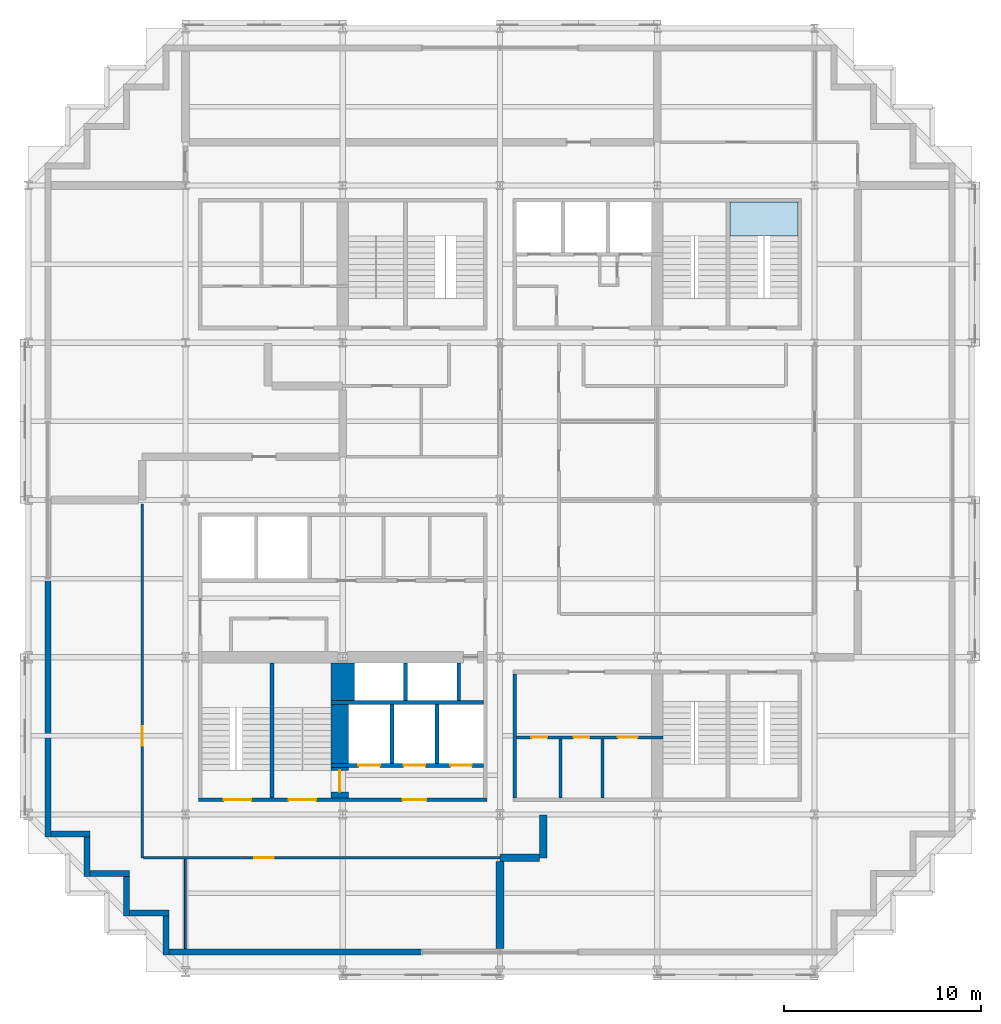
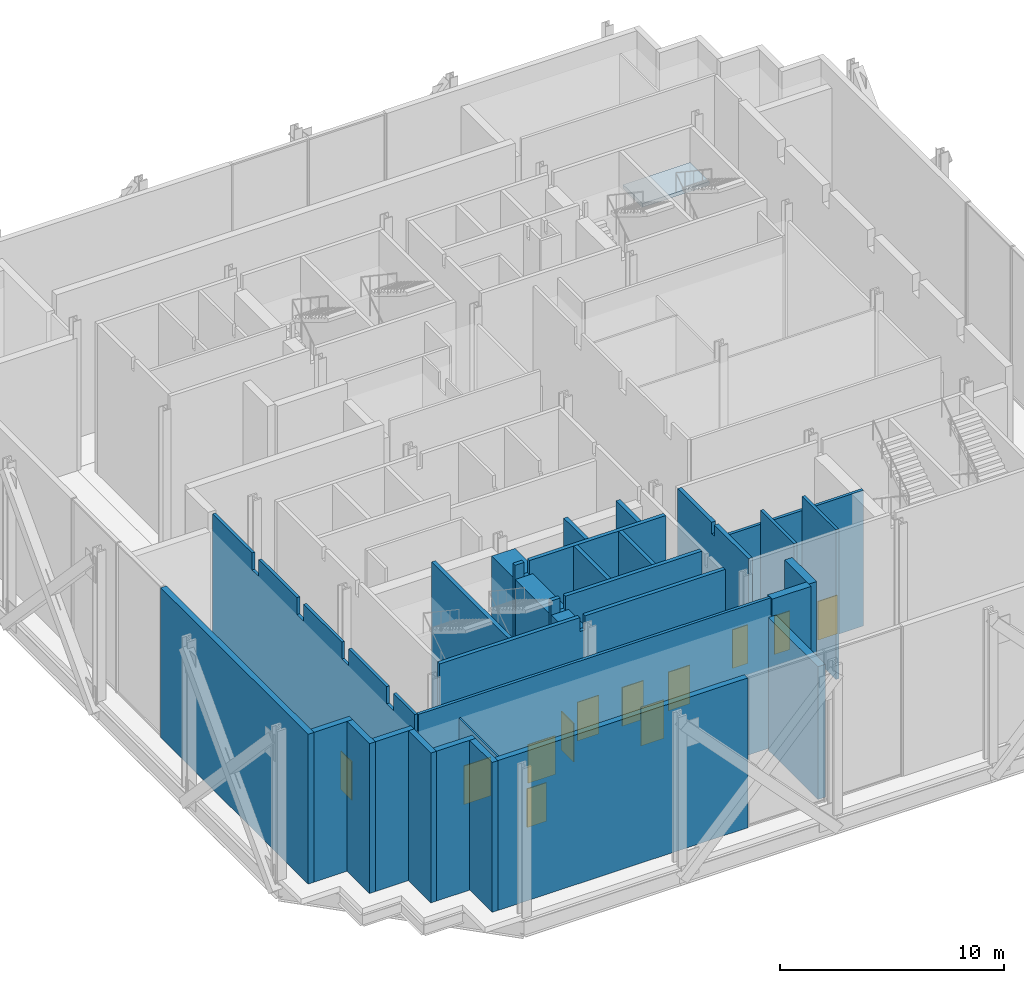
# One storey, part 7 of 13: 29 walls, 12 doors, 1 slab, 12 openings, 1 element without a shape of its own.
"""IFC4 building model written with IfcOpenShell, lengths in metres."""

from ifc_helpers import new_model, si_unit, direction, frame, frame_2d, origin, place, context, subcontext, project, spatial, polyline, rectangle, outline, extrude, material, layer, layer_set, type_object, element, fill, aggregate, save


model = new_model("IFC4")

# Units and contexts
model_context = context("Model", 3, precision=1e-05, world=origin(), true_north=direction((0.0, 1.0)))
body_context = subcontext(model_context, "Body", "Model", "MODEL_VIEW")
ifc_project = project(units=[si_unit("LENGTHUNIT", "METRE"), si_unit("AREAUNIT", "SQUARE_METRE"), si_unit("VOLUMEUNIT", "CUBIC_METRE"), si_unit("PLANEANGLEUNIT", "RADIAN"), si_unit("MASSUNIT", "GRAM", prefix="KILO")], contexts=[model_context])

# Site, building, storey
site_placement = place(None, origin())
site = spatial("IfcSite", under=ifc_project, at=site_placement, CompositionType="ELEMENT")
building_placement = place(site_placement, origin())
building = spatial("IfcBuilding", under=site, at=building_placement, Name="Immortelle Media Tower", CompositionType="ELEMENT")
storey_placement = place(building_placement, frame((0.0, 0.0, 21.0)))
storey = spatial("IfcBuildingStorey", under=building, at=storey_placement, Name="L02", CompositionType="ELEMENT", Elevation=21.0)

# Stair, slab
ifc_material_1 = material(Name="Steel ASTM A992 Gr 50", Category="steel")
stair_type = type_object("IfcStairType", Name="Stair with flights", PredefinedType="DOUBLE_RETURN_STAIR", material=ifc_material_1)
stair_placement = place(storey_placement, origin())
stair = element("IfcStair", 1, at=stair_placement, inside=storey, type_object=stair_type, Name="Exit stair NE2", PredefinedType="DOUBLE_RETURN_STAIR")
ifc_material_2 = material(Name="Steel ASTM A572 Gr 50", Category="steel")
ifc_layer_1 = layer(ifc_material_2, 0.199951171875)
ifc_layer_set_1 = layer_set([ifc_layer_1], Name="Steel ASTM A572 Gr 50")
slab_type = type_object("IfcSlabType", Name="Stair landing 200", PredefinedType="LANDING", material=ifc_layer_set_1)
slab_placement = place(storey_placement, frame((0.0, 0.0, 6.055419921875)))
slab = element("IfcSlab", 2, at=slab_placement, type_object=slab_type, Name="ST NE2 landing 3", PredefinedType="LANDING", context=body_context, shape_type="SweptSolid", body=[
    extrude(outline(polyline([(35.699951171875, 37.43994140625), (39.14990234375, 37.43994140625), (39.14990234375, 39.14990234375), (35.699951171875, 39.14990234375), (35.699951171875, 37.43994140625)])), origin(), (0.0, 0.0, 1.0), 0.199951171875),
])
aggregate(stair, [slab])

# Wall, openings, doors
ifc_material_3 = material(Name="Fire-rated gypsum board", Category="gypsum")
ifc_layer_2 = layer(ifc_material_3, 0.02490234375)
ifc_material_4 = material(Name="Steel ASTM A653 SS Gr 50 stud frame with mineral wool", Category="steel")
ifc_layer_3 = layer(ifc_material_4, 0.10009765625)
ifc_layer_4 = layer(ifc_material_3, 0.02490234375)
ifc_layer_set_2 = layer_set([ifc_layer_2, ifc_layer_3, ifc_layer_4], Name="Steel ASTM A653 SS Gr 50 stud frame with mineral wool")
wall_type_1 = type_object("IfcWallType", Name="Core partition 150", PredefinedType="PARTITIONING", material=ifc_layer_set_2)
wall_1_placement = place(storey_placement, frame((24.85009765625, 11.925048828125, 0.0), z_axis=(0.0, 0.0, 1.0), x_axis=(1.0, 0.0, 0.0)))
wall_1 = element("IfcWall", 3, at=wall_1_placement, inside=storey, type_object=wall_type_1, Name="Core partition SE", PredefinedType="PARTITIONING", context=body_context, shape_type="SweptSolid", body=[
    extrude(rectangle(XDim=7.449951171875, YDim=0.14990234375, at=frame_2d((3.72509765625, 0.0))), origin(), (0.0, 0.0, 1.0), 7.382080078125),
])
opening_1_placement = place(wall_1_placement, frame((1.550048828125, 0.0, 0.0), z_axis=(0.0, 0.0, 1.0), x_axis=(-1.0, 0.0, 0.0)))
opening_1 = element("IfcOpeningElement", 4, at=opening_1_placement, cuts=wall_1, Name="Opening P2-K015", PredefinedType="OPENING", context=body_context, shape_type="SweptSolid", body=[
    extrude(rectangle(XDim=0.800048828125, YDim=2.10009765625, at=frame_2d((0.39990234375, 1.050048828125))), frame((0.0, 0.0849609375, 0.0), z_axis=(0.0, -1.0, 0.0), x_axis=(1.0, 0.0, 0.0)), (0.0, 0.0, 1.0), 0.169921875),
])
opening_2_placement = place(wall_1_placement, frame((3.699951171875, 0.0, 0.0), z_axis=(0.0, 0.0, 1.0), x_axis=(-1.0, 0.0, 0.0)))
opening_2 = element("IfcOpeningElement", 5, at=opening_2_placement, cuts=wall_1, Name="Opening P2-K016", PredefinedType="OPENING", context=body_context, shape_type="SweptSolid", body=[
    extrude(rectangle(XDim=0.800048828125, YDim=2.10009765625, at=frame_2d((0.39990234375, 1.050048828125))), frame((0.0, 0.0849609375, 0.0), z_axis=(0.0, -1.0, 0.0), x_axis=(1.0, 0.0, 0.0)), (0.0, 0.0, 1.0), 0.169921875),
])
opening_3_placement = place(wall_1_placement, frame((6.14990234375, 0.0, 0.0), z_axis=(0.0, 0.0, 1.0), x_axis=(-1.0, 0.0, 0.0)))
opening_3 = element("IfcOpeningElement", 6, at=opening_3_placement, cuts=wall_1, Name="Opening P2-K018", PredefinedType="OPENING", context=body_context, shape_type="SweptSolid", body=[
    extrude(rectangle(XDim=1.0, YDim=2.10009765625, at=frame_2d((0.5, 1.050048828125))), frame((0.0, 0.0849609375, 0.0), z_axis=(0.0, -1.0, 0.0), x_axis=(1.0, 0.0, 0.0)), (0.0, 0.0, 1.0), 0.169921875),
])
ifc_material_5 = material(Name="Timber", Category="wood")
door_type_1 = type_object("IfcDoorType", Name="Accessible toilet door 1000 x 2100", OperationType="NOTDEFINED", PredefinedType="NOTDEFINED", material=ifc_material_5)
door_1_placement = place(opening_3_placement, origin())
door_1 = element("IfcDoor", 7, at=door_1_placement, inside=storey, type_object=door_type_1, Name="Accessible toilet P2-K018", OperationType="SINGLE_SWING_LEFT", OverallHeight=2.10009765625, OverallWidth=1.0, PredefinedType="NOTDEFINED", context=body_context, shape_type="SweptSolid", body=[
    extrude(rectangle(XDim=1.0, YDim=2.10009765625, at=frame_2d((0.5, 1.050048828125))), frame((0.0, 0.02490234375, 0.0), z_axis=(0.0, -1.0, 0.0), x_axis=(1.0, 0.0, 0.0)), (0.0, 0.0, 1.0), 0.050048828125),
])
fill(opening_3, door_1)
door_type_2 = type_object("IfcDoorType", Name="Toilet door 800 x 2100", OperationType="NOTDEFINED", PredefinedType="NOTDEFINED", material=ifc_material_5)
door_2_placement = place(opening_1_placement, origin())
door_2 = element("IfcDoor", 8, at=door_2_placement, inside=storey, type_object=door_type_2, Name="Toilet P2-K015", OperationType="SINGLE_SWING_RIGHT", OverallHeight=2.10009765625, OverallWidth=0.800048828125, PredefinedType="NOTDEFINED", context=body_context, shape_type="SweptSolid", body=[
    extrude(rectangle(XDim=0.800048828125, YDim=2.10009765625, at=frame_2d((0.39990234375, 1.050048828125))), frame((0.0, 0.02490234375, 0.0), z_axis=(0.0, -1.0, 0.0), x_axis=(1.0, 0.0, 0.0)), (0.0, 0.0, 1.0), 0.050048828125),
])
fill(opening_1, door_2)
door_3_placement = place(opening_2_placement, origin())
door_3 = element("IfcDoor", 9, at=door_3_placement, inside=storey, type_object=door_type_2, Name="Toilet P2-K016", OperationType="SINGLE_SWING_LEFT", OverallHeight=2.10009765625, OverallWidth=0.800048828125, PredefinedType="NOTDEFINED", context=body_context, shape_type="SweptSolid", body=[
    extrude(rectangle(XDim=0.800048828125, YDim=2.10009765625, at=frame_2d((0.39990234375, 1.050048828125))), frame((0.0, 0.02490234375, 0.0), z_axis=(0.0, -1.0, 0.0), x_axis=(1.0, 0.0, 0.0)), (0.0, 0.0, 1.0), 0.050048828125),
])
fill(opening_2, door_3)

# Walls
for number, where, z_axis, x_axis, name in (
    (10, (27.074951171875, 8.85009765625, 0.0), (0.0, 0.0, 1.0), (0.0, 1.0, 0.0), "Core partition SE"),
    (11, (29.22509765625, 8.85009765625, 0.0), (0.0, 0.0, 1.0), (0.0, 1.0, 0.0), "Core partition SE"),
):
    element("IfcWall", number, at=place(storey_placement, frame(where, z_axis=z_axis, x_axis=x_axis)), inside=storey, type_object=wall_type_1, Name=name, PredefinedType="PARTITIONING", context=body_context, shape_type="SweptSolid", body=[
        extrude(rectangle(XDim=3.0, YDim=0.14990234375, at=frame_2d((1.5, 0.0))), origin(), (0.0, 0.0, 1.0), 8.14990234375),
    ])

# Wall, openings, doors
ifc_layer_5 = layer(ifc_material_3, 0.03759765625)
ifc_layer_6 = layer(ifc_material_4, 0.125)
ifc_layer_7 = layer(ifc_material_3, 0.03759765625)
ifc_layer_set_3 = layer_set([ifc_layer_5, ifc_layer_6, ifc_layer_7], Name="Steel ASTM A653 SS Gr 50 stud frame with mineral wool")
wall_type_2 = type_object("IfcWallType", Name="Core shaft wall 200", PredefinedType="PARTITIONING", material=ifc_layer_set_3)
wall_2_placement = place(storey_placement, frame((15.39990234375, 10.5, 0.0), z_axis=(0.0, 0.0, 1.0), x_axis=(1.0, 0.0, 0.0)))
wall_2 = element("IfcWall", 12, at=wall_2_placement, inside=storey, type_object=wall_type_2, Name="Core shaft wall SW", PredefinedType="PARTITIONING", context=body_context, shape_type="SweptSolid", body=[
    extrude(outline(polyline([(0.0, 0.0), (7.75, 0.0), (7.75, 8.14990234375), (0.738525390625, 8.14990234375), (0.737548828125, 7.382080078125), (0.46240234375, 7.382080078125), (0.46142578125, 8.14990234375), (0.0, 8.14990234375), (0.0, 0.0)])), frame((0.0, 0.10009765625, 0.0), z_axis=(0.0, -1.0, 0.0), x_axis=(1.0, 0.0, 0.0)), (0.0, 0.0, 1.0), 0.199951171875),
])
opening_4_placement = place(wall_2_placement, frame((1.39990234375, 0.0, 0.0)))
opening_4 = element("IfcOpeningElement", 13, at=opening_4_placement, cuts=wall_2, Name="Opening LD", PredefinedType="OPENING", context=body_context, shape_type="SweptSolid", body=[
    extrude(rectangle(XDim=1.10009765625, YDim=2.10009765625, at=frame_2d((0.550048828125, 1.050048828125))), frame((0.0, 0.10986328125, 0.0), z_axis=(0.0, -1.0, 0.0), x_axis=(1.0, 0.0, 0.0)), (0.0, 0.0, 1.0), 0.219970703125),
])
opening_5_placement = place(wall_2_placement, frame((3.699951171875, 0.0, 0.0)))
opening_5 = element("IfcOpeningElement", 14, at=opening_5_placement, cuts=wall_2, Name="Opening LD", PredefinedType="OPENING", context=body_context, shape_type="SweptSolid", body=[
    extrude(rectangle(XDim=1.10009765625, YDim=2.10009765625, at=frame_2d((0.550048828125, 1.050048828125))), frame((0.0, 0.10986328125, 0.0), z_axis=(0.0, -1.0, 0.0), x_axis=(1.0, 0.0, 0.0)), (0.0, 0.0, 1.0), 0.219970703125),
])
opening_6_placement = place(wall_2_placement, frame((6.074951171875, 0.0, 0.0)))
opening_6 = element("IfcOpeningElement", 15, at=opening_6_placement, cuts=wall_2, Name="Opening LD", PredefinedType="OPENING", context=body_context, shape_type="SweptSolid", body=[
    extrude(rectangle(XDim=1.10009765625, YDim=2.10009765625, at=frame_2d((0.550048828125, 1.050048828125))), frame((0.0, 0.10986328125, 0.0), z_axis=(0.0, -1.0, 0.0), x_axis=(1.0, 0.0, 0.0)), (0.0, 0.0, 1.0), 0.219970703125),
])
ifc_material_6 = material(Name="Stainless steel AISI 304", Category="steel")
door_type_3 = type_object("IfcDoorType", Name="Landing door 1100 x 2100", OperationType="SLIDING_TO_LEFT", PredefinedType="NOTDEFINED", material=ifc_material_6)
door_4_placement = place(opening_4_placement, origin())
door_4 = element("IfcDoor", 16, at=door_4_placement, inside=storey, type_object=door_type_3, Name="Landing door FF1 L02", OperationType="SLIDING_TO_LEFT", OverallHeight=2.10009765625, OverallWidth=1.10009765625, PredefinedType="NOTDEFINED", context=body_context, shape_type="SweptSolid", body=[
    extrude(rectangle(XDim=1.10009765625, YDim=2.10009765625, at=frame_2d((0.550048828125, 1.050048828125))), frame((0.0, 0.02490234375, 0.0), z_axis=(0.0, -1.0, 0.0), x_axis=(1.0, 0.0, 0.0)), (0.0, 0.0, 1.0), 0.050048828125),
])
fill(opening_4, door_4)
door_5_placement = place(opening_5_placement, origin())
door_5 = element("IfcDoor", 17, at=door_5_placement, inside=storey, type_object=door_type_3, Name="Landing door FF2 L02", OperationType="SLIDING_TO_LEFT", OverallHeight=2.10009765625, OverallWidth=1.10009765625, PredefinedType="NOTDEFINED", context=body_context, shape_type="SweptSolid", body=[
    extrude(rectangle(XDim=1.10009765625, YDim=2.10009765625, at=frame_2d((0.550048828125, 1.050048828125))), frame((0.0, 0.02490234375, 0.0), z_axis=(0.0, -1.0, 0.0), x_axis=(1.0, 0.0, 0.0)), (0.0, 0.0, 1.0), 0.050048828125),
])
fill(opening_5, door_5)
door_6_placement = place(opening_6_placement, origin())
door_6 = element("IfcDoor", 18, at=door_6_placement, inside=storey, type_object=door_type_3, Name="Landing door FF3 L02", OperationType="SLIDING_TO_LEFT", OverallHeight=2.10009765625, OverallWidth=1.10009765625, PredefinedType="NOTDEFINED", context=body_context, shape_type="SweptSolid", body=[
    extrude(rectangle(XDim=1.10009765625, YDim=2.10009765625, at=frame_2d((0.550048828125, 1.050048828125))), frame((0.0, 0.02490234375, 0.0), z_axis=(0.0, -1.0, 0.0), x_axis=(1.0, 0.0, 0.0)), (0.0, 0.0, 1.0), 0.050048828125),
])
fill(opening_6, door_6)

# Walls
wall_3_placement = place(storey_placement, frame((15.39990234375, 13.699951171875, 0.0), z_axis=(0.0, 0.0, 1.0), x_axis=(1.0, 0.0, 0.0)))
element("IfcWall", 19, at=wall_3_placement, inside=storey, type_object=wall_type_2, Name="Core shaft wall SW", PredefinedType="PARTITIONING", context=body_context, shape_type="SweptSolid", body=[
    extrude(outline(polyline([(0.0, 0.0), (7.75, 0.0), (7.75, 8.14990234375), (0.738525390625, 8.14990234375), (0.737548828125, 7.382080078125), (0.46240234375, 7.382080078125), (0.46142578125, 8.14990234375), (0.0, 8.14990234375), (0.0, 0.0)])), frame((0.0, 0.10009765625, 0.0), z_axis=(0.0, -1.0, 0.0), x_axis=(1.0, 0.0, 0.0)), (0.0, 0.0, 1.0), 0.199951171875),
])
wall_4_placement = place(storey_placement, frame((18.5, 10.60009765625, 0.0), z_axis=(0.0, 0.0, 1.0), x_axis=(0.0, 1.0, 0.0)))
element("IfcWall", 20, at=wall_4_placement, inside=storey, type_object=wall_type_2, Name="Core shaft wall SW", PredefinedType="PARTITIONING", context=body_context, shape_type="SweptSolid", body=[
    extrude(rectangle(XDim=3.0, YDim=0.199951171875, at=frame_2d((1.5, 0.0))), origin(), (0.0, 0.0, 1.0), 8.14990234375),
])
wall_5_placement = place(storey_placement, frame((19.199951171875, 13.800048828125, 0.0), z_axis=(0.0, 0.0, 1.0), x_axis=(0.0, 1.0, 0.0)))
element("IfcWall", 21, at=wall_5_placement, inside=storey, type_object=wall_type_2, Name="Core shaft wall SW", PredefinedType="PARTITIONING", context=body_context, shape_type="SweptSolid", body=[
    extrude(rectangle(XDim=1.89990234375, YDim=0.199951171875, at=frame_2d((0.949951171875, 0.0))), origin(), (0.0, 0.0, 1.0), 8.14990234375),
])
wall_6_placement = place(storey_placement, frame((20.800048828125, 10.60009765625, 0.0), z_axis=(0.0, 0.0, 1.0), x_axis=(0.0, 1.0, 0.0)))
element("IfcWall", 22, at=wall_6_placement, inside=storey, type_object=wall_type_2, Name="Core shaft wall SW", PredefinedType="PARTITIONING", context=body_context, shape_type="SweptSolid", body=[
    extrude(rectangle(XDim=3.0, YDim=0.199951171875, at=frame_2d((1.5, 0.0))), origin(), (0.0, 0.0, 1.0), 8.14990234375),
])
wall_7_placement = place(storey_placement, frame((21.89990234375, 13.800048828125, 0.0), z_axis=(0.0, 0.0, 1.0), x_axis=(0.0, 1.0, 0.0)))
element("IfcWall", 23, at=wall_7_placement, inside=storey, type_object=wall_type_2, Name="Core shaft wall SW", PredefinedType="PARTITIONING", context=body_context, shape_type="SweptSolid", body=[
    extrude(rectangle(XDim=1.89990234375, YDim=0.199951171875, at=frame_2d((0.949951171875, 0.0))), origin(), (0.0, 0.0, 1.0), 8.14990234375),
])
wall_8_placement = place(storey_placement, frame((24.75, 8.85009765625, 0.0), z_axis=(0.0, 0.0, 1.0), x_axis=(0.0, 1.0, 0.0)))
element("IfcWall", 24, at=wall_8_placement, inside=storey, type_object=wall_type_2, Name="Core shaft wall SE", PredefinedType="PARTITIONING", context=body_context, shape_type="SweptSolid", body=[
    extrude(outline(polyline([(0.0, 0.0), (6.2998046875, 0.0), (6.300048828125, 8.14990234375), (3.26953125, 8.14990234375), (3.2685546875, 7.531982421875), (3.031494140625, 7.531982421875), (3.030517578125, 8.14990234375), (0.0, 8.14990234375), (0.0, 0.0)])), frame((0.0, 0.10009765625, 0.0), z_axis=(0.0, -1.0, 0.0), x_axis=(1.0, 0.0, 0.0)), (0.0, 0.0, 1.0), 0.199951171875),
])

# Wall, opening, door
ifc_layer_8 = layer(ifc_material_3, 0.012451171875)
ifc_layer_9 = layer(ifc_material_4, 0.125)
ifc_layer_10 = layer(ifc_material_3, 0.012451171875)
ifc_layer_set_4 = layer_set([ifc_layer_8, ifc_layer_9, ifc_layer_10], Name="Steel ASTM A653 SS Gr 50 stud frame with mineral wool")
wall_type_3 = type_object("IfcWallType", Name="Corridor wall 150", PredefinedType="PARTITIONING", material=ifc_layer_set_4)
wall_9_placement = place(storey_placement, frame((5.875, 5.800048828125, 0.0), z_axis=(0.0, 0.0, 1.0), x_axis=(1.0, 0.0, 0.0)))
wall_9 = element("IfcWall", 25, at=wall_9_placement, inside=storey, type_object=wall_type_3, Name="Partition L02-003", PredefinedType="PARTITIONING", context=body_context, shape_type="SweptSolid", body=[
    extrude(rectangle(XDim=18.125, YDim=0.14990234375, at=frame_2d((9.0625, 0.0))), origin(), (0.0, 0.0, 1.0), 8.14990234375),
])
opening_7_placement = place(wall_9_placement, frame((6.625, 0.0, 0.0), z_axis=(0.0, 0.0, 1.0), x_axis=(-1.0, 0.0, 0.0)))
opening_7 = element("IfcOpeningElement", 26, at=opening_7_placement, cuts=wall_9, Name="Opening P2-F001", PredefinedType="OPENING", context=body_context, shape_type="SweptSolid", body=[
    extrude(rectangle(XDim=1.0, YDim=2.10009765625, at=frame_2d((0.5, 1.050048828125))), frame((0.0, 0.0849609375, 0.0), z_axis=(0.0, -1.0, 0.0), x_axis=(1.0, 0.0, 0.0)), (0.0, 0.0, 1.0), 0.169921875),
])
ifc_material_7 = material(Name="Timber veneered door leaf, galvanised steel frame ASTM A653", Category="steel")
door_type_4 = type_object("IfcDoorType", Name="Room door 1000 x 2100", OperationType="NOTDEFINED", PredefinedType="DOOR", material=ifc_material_7)
door_7_placement = place(opening_7_placement, origin())
door_7 = element("IfcDoor", 27, at=door_7_placement, inside=storey, type_object=door_type_4, Name="Door P2-F001", OperationType="SINGLE_SWING_RIGHT", OverallHeight=2.10009765625, OverallWidth=1.0, PredefinedType="DOOR", context=body_context, shape_type="SweptSolid", body=[
    extrude(rectangle(XDim=1.0, YDim=2.10009765625, at=frame_2d((0.5, 1.050048828125))), frame((0.0, 0.02490234375, 0.0), z_axis=(0.0, -1.0, 0.0), x_axis=(1.0, 0.0, 0.0)), (0.0, 0.0, 1.0), 0.050048828125),
])
fill(opening_7, door_7)

wall_10_placement = place(storey_placement, frame((5.800048828125, 5.800048828125, 0.0), z_axis=(0.0, 0.0, 1.0), x_axis=(0.0, 1.0, 0.0)))
wall_10 = element("IfcWall", 28, at=wall_10_placement, inside=storey, type_object=wall_type_3, Name="Partition L02-004", PredefinedType="PARTITIONING", context=body_context, shape_type="SweptSolid", body=[
    extrude(outline(polyline([(0.0, 0.0), (18.0, 0.0), (18.0, 8.14990234375), (14.5, 8.14990234375), (14.498046875, 7.222900390625), (13.902099609375, 7.222900390625), (13.89990234375, 8.14990234375), (10.5, 8.14990234375), (10.498046875, 7.222900390625), (9.902099609375, 7.222900390625), (9.89990234375, 8.14990234375), (6.5, 8.14990234375), (6.498046875, 7.222900390625), (5.902099609375, 7.222900390625), (5.89990234375, 8.14990234375), (2.5, 8.14990234375), (2.498046875, 7.222900390625), (1.902099609375, 7.222900390625), (1.89990234375, 8.14990234375), (0.0, 8.14990234375), (0.0, 0.0)])), frame((0.0, 0.074951171875, 0.0), z_axis=(0.0, -1.0, 0.0), x_axis=(1.0, 0.0, 0.0)), (0.0, 0.0, 1.0), 0.14990234375),
])
opening_8_placement = place(wall_10_placement, frame((5.699951171875, 0.0, 0.0)))
opening_8 = element("IfcOpeningElement", 29, at=opening_8_placement, cuts=wall_10, Name="Opening P2-F002", PredefinedType="OPENING", context=body_context, shape_type="SweptSolid", body=[
    extrude(rectangle(XDim=1.0, YDim=2.10009765625, at=frame_2d((0.5, 1.050048828125))), frame((0.0, 0.0849609375, 0.0), z_axis=(0.0, -1.0, 0.0), x_axis=(1.0, 0.0, 0.0)), (0.0, 0.0, 1.0), 0.169921875),
])
door_8_placement = place(opening_8_placement, origin())
door_8 = element("IfcDoor", 30, at=door_8_placement, inside=storey, type_object=door_type_4, Name="Door P2-F002", OperationType="SINGLE_SWING_LEFT", OverallHeight=2.10009765625, OverallWidth=1.0, PredefinedType="DOOR", context=body_context, shape_type="SweptSolid", body=[
    extrude(rectangle(XDim=1.0, YDim=2.10009765625, at=frame_2d((0.5, 1.050048828125))), frame((0.0, 0.02490234375, 0.0), z_axis=(0.0, -1.0, 0.0), x_axis=(1.0, 0.0, 0.0)), (0.0, 0.0, 1.0), 0.050048828125),
])
fill(opening_8, door_8)

# Walls
ifc_material_8 = material(Name="Pale aluminium cladding panel", Category="aluminium")
ifc_layer_11 = layer(ifc_material_8, 0.030029296875)
ifc_layer_12 = layer(ifc_material_4, 0.257568359375)
ifc_material_9 = material(Name="Moisture-resistant gypsum board", Category="gypsum")
ifc_layer_13 = layer(ifc_material_9, 0.012451171875)
ifc_layer_set_5 = layer_set([ifc_layer_11, ifc_layer_12, ifc_layer_13], Name="Steel ASTM A653 SS Gr 50 stud frame with mineral wool")
wall_type_4 = type_object("IfcWallType", Name="Pale metal clad wall 300", PredefinedType="STANDARD", material=ifc_layer_set_5)
for number, where, z_axis, x_axis, name in (
    (31, (1.14990234375, 7.0, 0.0), (0.0, 0.0, 1.0), (1.0, 0.0, 0.0), "Studio wall L02 S 1"),
    (32, (3.0, 6.85009765625, 0.0), (0.0, 0.0, 1.0), (0.0, -1.0, 0.0), "Studio wall L02 W 2"),
    (33, (3.14990234375, 5.0, 0.0), (0.0, 0.0, 1.0), (1.0, 0.0, 0.0), "Studio wall L02 S 3"),
    (34, (5.0, 4.85009765625, 0.0), (0.0, 0.0, 1.0), (0.0, -1.0, 0.0), "Studio wall L02 W 4"),
    (35, (5.14990234375, 3.0, 0.0), (0.0, 0.0, 1.0), (1.0, 0.0, 0.0), "Studio wall L02 S 5"),
    (36, (7.0, 2.85009765625, 0.0), (0.0, 0.0, 1.0), (0.0, -1.0, 0.0), "Studio wall L02 W 6"),
):
    element("IfcWall", number, at=place(storey_placement, frame(where, z_axis=z_axis, x_axis=x_axis)), inside=storey, type_object=wall_type_4, Name=name, PredefinedType="STANDARD", context=body_context, shape_type="SweptSolid", body=[
        extrude(rectangle(XDim=2.0, YDim=0.300048828125, at=frame_2d((1.0, 0.0))), origin(), (0.0, 0.0, 1.0), 8.14990234375),
    ])
wall_11_placement = place(storey_placement, frame((7.14990234375, 1.0, 0.0), z_axis=(0.0, 0.0, 1.0), x_axis=(1.0, 0.0, 0.0)))
element("IfcWall", 37, at=wall_11_placement, inside=storey, type_object=wall_type_4, Name="Studio wall L02 S 7-1", PredefinedType="STANDARD", context=body_context, shape_type="SweptSolid", body=[
    extrude(rectangle(XDim=12.85009765625, YDim=0.300048828125, at=frame_2d((6.425048828125, 0.0))), origin(), (0.0, 0.0, 1.0), 8.14990234375),
])
wall_12_placement = place(storey_placement, frame((1.0, 20.0, 0.0), z_axis=(0.0, 0.0, 1.0), x_axis=(0.0, -1.0, 0.0)))
element("IfcWall", 38, at=wall_12_placement, inside=storey, type_object=wall_type_4, Name="Studio wall L02 W 28-3", PredefinedType="STANDARD", context=body_context, shape_type="SweptSolid", body=[
    extrude(rectangle(XDim=13.14990234375, YDim=0.300048828125, at=frame_2d((6.574951171875, 0.0))), origin(), (0.0, 0.0, 1.0), 8.14990234375),
])
ifc_material_10 = material(Name="Gypsum board", Category="gypsum")
ifc_layer_14 = layer(ifc_material_10, 0.012451171875)
ifc_layer_15 = layer(ifc_material_4, 0.074951171875)
ifc_layer_16 = layer(ifc_material_10, 0.012451171875)
ifc_layer_set_6 = layer_set([ifc_layer_14, ifc_layer_15, ifc_layer_16], Name="Steel ASTM A653 SS Gr 50 stud frame with mineral wool")
wall_type_5 = type_object("IfcWallType", Name="Partition 100", PredefinedType="PARTITIONING", material=ifc_layer_set_6)
wall_13_placement = place(storey_placement, frame((8.0, 1.179931640625, 0.0), z_axis=(0.0, 0.0, 1.0), x_axis=(0.0, 1.0, 0.0)))
element("IfcWall", 39, at=wall_13_placement, inside=storey, type_object=wall_type_5, Name="Partition L02-001", PredefinedType="PARTITIONING", context=body_context, shape_type="SweptSolid", body=[
    extrude(rectangle(XDim=4.545166015625, YDim=0.10009765625, at=frame_2d((2.2724609375, 0.0))), origin(), (0.0, 0.0, 1.0), 7.222900390625),
])
ifc_material_11 = material(Name="Concrete C60", Category="concrete")
ifc_layer_17 = layer(ifc_material_11, 1.199951171875)
ifc_layer_set_7 = layer_set([ifc_layer_17], Name="Concrete C60")
wall_type_6 = type_object("IfcWallType", Name="Stair shaft wall 1200", PredefinedType="PARTITIONING", material=ifc_layer_set_7)
wall_14_placement = place(storey_placement, frame((16.0, 13.800048828125, 0.0), z_axis=(0.0, 0.0, 1.0), x_axis=(0.0, 1.0, 0.0)))
element("IfcWall", 40, at=wall_14_placement, inside=storey, type_object=wall_type_6, Name="Stair shaft wall SW", PredefinedType="PARTITIONING", context=body_context, shape_type="SweptSolid", body=[
    extrude(rectangle(XDim=1.89990234375, YDim=1.199951171875, at=frame_2d((0.949951171875, 0.0))), origin(), (0.0, 0.0, 1.0), 7.382080078125),
])

# Wall, openings, doors
ifc_layer_18 = layer(ifc_material_11, 0.199951171875)
ifc_layer_set_8 = layer_set([ifc_layer_18], Name="Concrete C60")
wall_type_7 = type_object("IfcWallType", Name="Stair shaft wall 200", PredefinedType="PARTITIONING", material=ifc_layer_set_8)
wall_15_placement = place(storey_placement, frame((8.64990234375, 8.75, 0.0), z_axis=(0.0, 0.0, 1.0), x_axis=(1.0, 0.0, 0.0)))
wall_15 = element("IfcWall", 41, at=wall_15_placement, inside=storey, type_object=wall_type_7, Name="Stair shaft wall SW", PredefinedType="PARTITIONING", context=body_context, shape_type="SweptSolid", body=[
    extrude(outline(polyline([(0.0, 0.0), (14.7001953125, 0.0), (14.699951171875, 8.14990234375), (7.488525390625, 8.14990234375), (7.487548828125, 7.382080078125), (7.21240234375, 7.382080078125), (7.21142578125, 8.14990234375), (0.0, 8.14990234375), (0.0, 0.0)])), frame((0.0, 0.10009765625, 0.0), z_axis=(0.0, -1.0, 0.0), x_axis=(1.0, 0.0, 0.0)), (0.0, 0.0, 1.0), 0.199951171875),
])
opening_9_placement = place(wall_15_placement, frame((1.300048828125, 0.0, 0.0)))
opening_9 = element("IfcOpeningElement", 42, at=opening_9_placement, cuts=wall_15, Name="Opening P2-K002", PredefinedType="OPENING", context=body_context, shape_type="SweptSolid", body=[
    extrude(rectangle(XDim=1.39990234375, YDim=2.10009765625, at=frame_2d((0.699951171875, 1.050048828125))), frame((0.0, 0.10986328125, 0.0), z_axis=(0.0, -1.0, 0.0), x_axis=(1.0, 0.0, 0.0)), (0.0, 0.0, 1.0), 0.219970703125),
])
opening_10_placement = place(wall_15_placement, frame((4.60009765625, 0.0, 0.0)))
opening_10 = element("IfcOpeningElement", 43, at=opening_10_placement, cuts=wall_15, Name="Opening P2-K004", PredefinedType="OPENING", context=body_context, shape_type="SweptSolid", body=[
    extrude(rectangle(XDim=1.39990234375, YDim=2.10009765625, at=frame_2d((0.699951171875, 1.050048828125))), frame((0.0, 0.10986328125, 0.0), z_axis=(0.0, -1.0, 0.0), x_axis=(1.0, 0.0, 0.0)), (0.0, 0.0, 1.0), 0.219970703125),
])
opening_11_placement = place(wall_15_placement, frame((10.39990234375, 0.0, 0.0)))
opening_11 = element("IfcOpeningElement", 44, at=opening_11_placement, cuts=wall_15, Name="Opening P2-K009", PredefinedType="OPENING", context=body_context, shape_type="SweptSolid", body=[
    extrude(rectangle(XDim=1.199951171875, YDim=2.10009765625, at=frame_2d((0.60009765625, 1.050048828125))), frame((0.0, 0.10986328125, 0.0), z_axis=(0.0, -1.0, 0.0), x_axis=(1.0, 0.0, 0.0)), (0.0, 0.0, 1.0), 0.219970703125),
])
ifc_material_12 = material(Name="Galvanised steel door leaf and frame ASTM A653", Category="steel")
door_type_5 = type_object("IfcDoorType", Name="Fire-fighting lobby door 1200 x 2100", OperationType="NOTDEFINED", PredefinedType="NOTDEFINED", material=ifc_material_12)
door_9_placement = place(opening_11_placement, origin())
door_9 = element("IfcDoor", 45, at=door_9_placement, inside=storey, type_object=door_type_5, Name="Fire-fighting lobby P2-K009", OperationType="SINGLE_SWING_LEFT", OverallHeight=2.10009765625, OverallWidth=1.199951171875, PredefinedType="NOTDEFINED", context=body_context, shape_type="SweptSolid", body=[
    extrude(rectangle(XDim=1.199951171875, YDim=2.10009765625, at=frame_2d((0.60009765625, 1.050048828125))), frame((0.0, 0.02490234375, 0.0), z_axis=(0.0, -1.0, 0.0), x_axis=(1.0, 0.0, 0.0)), (0.0, 0.0, 1.0), 0.050048828125),
])
fill(opening_11, door_9)
door_type_6 = type_object("IfcDoorType", Name="Stair door 1400 x 2100", OperationType="DOUBLE_DOOR_SINGLE_SWING", PredefinedType="NOTDEFINED", material=ifc_material_12)
door_10_placement = place(opening_9_placement, origin())
door_10 = element("IfcDoor", 46, at=door_10_placement, inside=storey, type_object=door_type_6, Name="Stair P2-K002", OperationType="DOUBLE_DOOR_SINGLE_SWING", OverallHeight=2.10009765625, OverallWidth=1.39990234375, PredefinedType="NOTDEFINED", context=body_context, shape_type="SweptSolid", body=[
    extrude(rectangle(XDim=1.39990234375, YDim=2.10009765625, at=frame_2d((0.699951171875, 1.050048828125))), frame((0.0, 0.02490234375, 0.0), z_axis=(0.0, -1.0, 0.0), x_axis=(1.0, 0.0, 0.0)), (0.0, 0.0, 1.0), 0.050048828125),
])
fill(opening_9, door_10)
door_11_placement = place(opening_10_placement, origin())
door_11 = element("IfcDoor", 47, at=door_11_placement, inside=storey, type_object=door_type_6, Name="Stair P2-K004", OperationType="DOUBLE_DOOR_SINGLE_SWING", OverallHeight=2.10009765625, OverallWidth=1.39990234375, PredefinedType="NOTDEFINED", context=body_context, shape_type="SweptSolid", body=[
    extrude(rectangle(XDim=1.39990234375, YDim=2.10009765625, at=frame_2d((0.699951171875, 1.050048828125))), frame((0.0, 0.02490234375, 0.0), z_axis=(0.0, -1.0, 0.0), x_axis=(1.0, 0.0, 0.0)), (0.0, 0.0, 1.0), 0.050048828125),
])
fill(opening_10, door_11)

# Wall
wall_16_placement = place(storey_placement, frame((12.39990234375, 8.85009765625, 0.0), z_axis=(0.0, 0.0, 1.0), x_axis=(0.0, 1.0, 0.0)))
element("IfcWall", 48, at=wall_16_placement, inside=storey, type_object=wall_type_7, Name="Stair shaft wall SW", PredefinedType="PARTITIONING", context=body_context, shape_type="SweptSolid", body=[
    extrude(rectangle(XDim=6.849853515625, YDim=0.199951171875, at=frame_2d((3.4248046875, 0.0))), origin(), (0.0, 0.0, 1.0), 8.14990234375),
])

# Wall, opening, door
ifc_layer_19 = layer(ifc_material_11, 0.89990234375)
ifc_layer_set_9 = layer_set([ifc_layer_19], Name="Concrete C60")
wall_type_8 = type_object("IfcWallType", Name="Stair shaft wall 900", PredefinedType="PARTITIONING", material=ifc_layer_set_9)
wall_17_placement = place(storey_placement, frame((15.85009765625, 8.85009765625, 0.0), z_axis=(0.0, 0.0, 1.0), x_axis=(0.0, 1.0, 0.0)))
wall_17 = element("IfcWall", 49, at=wall_17_placement, inside=storey, type_object=wall_type_8, Name="Stair shaft wall SW", PredefinedType="PARTITIONING", context=body_context, shape_type="SweptSolid", body=[
    extrude(rectangle(XDim=1.5498046875, YDim=0.89990234375, at=frame_2d((0.77490234375, 0.0))), origin(), (0.0, 0.0, 1.0), 7.382080078125),
])
opening_12_placement = place(wall_17_placement, frame((0.300048828125, 0.0, 0.0)))
opening_12 = element("IfcOpeningElement", 50, at=opening_12_placement, cuts=wall_17, Name="Opening P2-K005", PredefinedType="OPENING", context=body_context, shape_type="SweptSolid", body=[
    extrude(rectangle(XDim=1.10009765625, YDim=2.10009765625, at=frame_2d((0.550048828125, 1.050048828125))), frame((0.0, 0.4599609375, 0.0), z_axis=(0.0, -1.0, 0.0), x_axis=(1.0, 0.0, 0.0)), (0.0, 0.0, 1.0), 0.919921875),
])
door_type_7 = type_object("IfcDoorType", Name="Stair lobby door 1100 x 2100", OperationType="NOTDEFINED", PredefinedType="NOTDEFINED", material=ifc_material_12)
door_12_placement = place(opening_12_placement, origin())
door_12 = element("IfcDoor", 51, at=door_12_placement, inside=storey, type_object=door_type_7, Name="Stair lobby P2-K005", OperationType="SINGLE_SWING_LEFT", OverallHeight=2.10009765625, OverallWidth=1.10009765625, PredefinedType="NOTDEFINED", context=body_context, shape_type="SweptSolid", body=[
    extrude(rectangle(XDim=1.10009765625, YDim=2.10009765625, at=frame_2d((0.550048828125, 1.050048828125))), frame((0.0, 0.02490234375, 0.0), z_axis=(0.0, -1.0, 0.0), x_axis=(1.0, 0.0, 0.0)), (0.0, 0.0, 1.0), 0.050048828125),
])
fill(opening_12, door_12)

# Walls
wall_18_placement = place(storey_placement, frame((15.85009765625, 10.60009765625, 0.0), z_axis=(0.0, 0.0, 1.0), x_axis=(0.0, 1.0, 0.0)))
element("IfcWall", 52, at=wall_18_placement, inside=storey, type_object=wall_type_8, Name="Stair shaft wall SW", PredefinedType="PARTITIONING", context=body_context, shape_type="SweptSolid", body=[
    extrude(rectangle(XDim=3.0, YDim=0.89990234375, at=frame_2d((1.5, 0.0))), origin(), (0.0, 0.0, 1.0), 7.382080078125),
])
ifc_material_13 = material(Name="Acoustic masonry blockwork", Category="masonry")
ifc_layer_20 = layer(ifc_material_13, 0.39990234375)
ifc_layer_set_10 = layer_set([ifc_layer_20], Name="Acoustic masonry blockwork")
wall_type_9 = type_object("IfcWallType", Name="Studio shell 400", PredefinedType="PARTITIONING", material=ifc_layer_set_10)
wall_19_placement = place(storey_placement, frame((24.0, 1.179931640625, 0.0), z_axis=(0.0, 0.0, 1.0), x_axis=(0.0, 1.0, 0.0)))
element("IfcWall", 53, at=wall_19_placement, inside=storey, type_object=wall_type_9, Name="Partition L02-002", PredefinedType="PARTITIONING", context=body_context, shape_type="SweptSolid", body=[
    extrude(rectangle(XDim=4.420166015625, YDim=0.39990234375, at=frame_2d((2.2099609375, 0.0))), origin(), (0.0, 0.0, 1.0), 7.222900390625),
])
wall_20_placement = place(storey_placement, frame((24.0, 5.800048828125, 0.0), z_axis=(0.0, 0.0, 1.0), x_axis=(1.0, 0.0, 0.0)))
element("IfcWall", 54, at=wall_20_placement, inside=storey, type_object=wall_type_9, Name="Partition L02-005", PredefinedType="PARTITIONING", context=body_context, shape_type="SweptSolid", body=[
    extrude(rectangle(XDim=2.0, YDim=0.39990234375, at=frame_2d((1.0, 0.0))), origin(), (0.0, 0.0, 1.0), 8.14990234375),
])
wall_21_placement = place(storey_placement, frame((26.199951171875, 5.800048828125, 0.0), z_axis=(0.0, 0.0, 1.0), x_axis=(0.0, 1.0, 0.0)))
element("IfcWall", 55, at=wall_21_placement, inside=storey, type_object=wall_type_9, Name="Partition L02-006", PredefinedType="PARTITIONING", context=body_context, shape_type="SweptSolid", body=[
    extrude(rectangle(XDim=2.169921875, YDim=0.39990234375, at=frame_2d((1.0849609375, 0.0))), origin(), (0.0, 0.0, 1.0), 8.14990234375),
])

save(model, "model.ifc")
